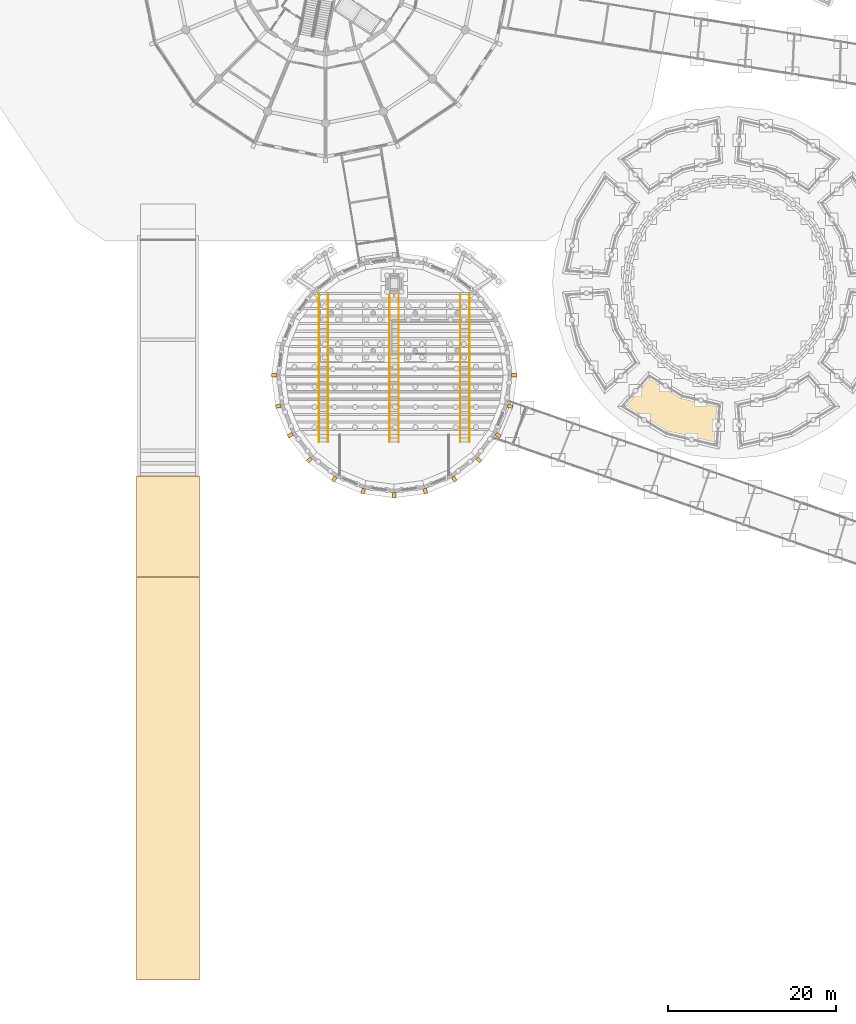
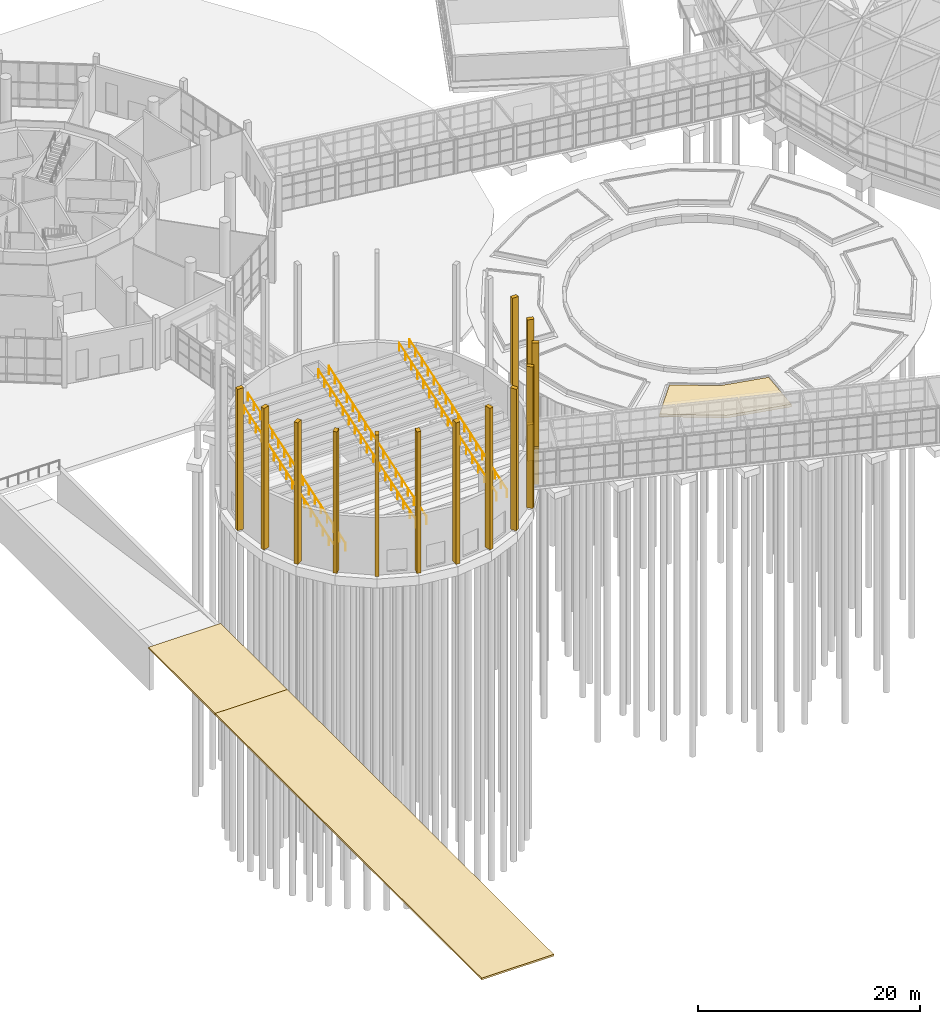
# One storey, part 211 of 226: 18 coverings, 6 railings.
"""IFC4 building model written with IfcOpenShell, lengths in metres."""

import ifcopenshell
import ifcopenshell.guid

model = None  # the IFC model being written
_history = None  # IfcOwnerHistory: only IFC2X3 demands one
_inside = {}  # id of a spatial element -> (the spatial element, [elements in it])
_under = {}  # id of a project, library or spatial element -> (it, [spatial elements below it])
_declared = {}  # id of a project -> (the project, [libraries it declares])
_typed = {}  # id of a type object -> (the type object, [elements of that type])
_made_of = {}  # id of a material, layer set ... -> (it, [elements and type objects made of it])


def new_model(schema):
    """Start an empty IFC model of exactly this schema.

    Asked for "IFC4X3", IfcOpenShell would pick the latest addendum, in which some entities
    have other attributes; the version numbers below select the first issue.
    IFC2X3 requires an IfcOwnerHistory on every rooted entity: one is made here for all.
    """
    global model, _history
    if schema == "IFC4X3":
        model = ifcopenshell.file(schema_version=(4, 3, 0, 0))
    else:
        model = ifcopenshell.file(schema=schema)
    _inside.clear()
    _under.clear()
    _declared.clear()
    _typed.clear()
    _made_of.clear()
    _history = None
    if model.schema == "IFC2X3":
        org = make("IfcOrganization", Name="unknown")
        user = make(
            "IfcPersonAndOrganization",
            ThePerson=make("IfcPerson", FamilyName="unknown"),
            TheOrganization=org,
        )
        app = make(
            "IfcApplication",
            ApplicationDeveloper=org,
            Version="unknown",
            ApplicationFullName="unknown",
            ApplicationIdentifier="unknown",
        )
        _history = make(
            "IfcOwnerHistory",
            OwningUser=user,
            OwningApplication=app,
            ChangeAction="ADDED",
            CreationDate=0,
        )
    return model


def make(cls, **values):
    """One entity of the class cls with the attributes given. An attribute that is None is left unset."""
    return model.create_entity(
        cls, **{name: value for name, value in values.items() if value is not None}
    )


def rooted(cls, **values):
    """An entity with a GlobalId (a new one), such as an element, a storey or a relation."""
    return make(cls, GlobalId=ifcopenshell.guid.new(), OwnerHistory=_history, **values)


def si_unit(unit_type, name, prefix=None):
    """IfcSIUnit, for example si_unit("LENGTHUNIT", "METRE", prefix="MILLI")."""
    return make("IfcSIUnit", UnitType=unit_type, Prefix=prefix, Name=name)


def assignment(units):
    """IfcUnitAssignment: the units of a project."""
    return None if units is None else make("IfcUnitAssignment", Units=units)


def point(xyz):
    """IfcCartesianPoint."""
    return None if xyz is None else make("IfcCartesianPoint", Coordinates=xyz)


def direction(xyz):
    """IfcDirection."""
    return None if xyz is None else make("IfcDirection", DirectionRatios=xyz)


def frame(location, z_axis=None, x_axis=None):
    """IfcAxis2Placement3D, a coordinate frame: its origin and axes. An axis left out is left unset."""
    return make(
        "IfcAxis2Placement3D",
        Location=point(location),
        Axis=direction(z_axis),
        RefDirection=direction(x_axis),
    )


def frame_2d(location, x_axis=None):
    """IfcAxis2Placement2D, a coordinate frame in the plane: its origin and x axis."""
    return make(
        "IfcAxis2Placement2D", Location=point(location), RefDirection=direction(x_axis)
    )


def origin():
    """The frame at (0, 0, 0) with its axes left unset."""
    return frame((0.0, 0.0, 0.0))


def origin_2d():
    """The frame at (0, 0) in the plane with its x axis left unset."""
    return frame_2d((0.0, 0.0))


def place(relative_to, where):
    """IfcLocalPlacement: puts the frame where relative to a parent placement (None: the world)."""
    return make(
        "IfcLocalPlacement", PlacementRelTo=relative_to, RelativePlacement=where
    )


def context(
    kind, dimensions, precision=None, world=None, true_north=None, identifier=None
):
    """IfcGeometricRepresentationContext, for example the 3D "Model" context."""
    return make(
        "IfcGeometricRepresentationContext",
        ContextIdentifier=identifier,
        ContextType=kind,
        CoordinateSpaceDimension=dimensions,
        Precision=precision,
        WorldCoordinateSystem=world,
        TrueNorth=true_north,
    )


def subcontext(parent, identifier, kind, view, scale=None):
    """IfcGeometricRepresentationSubContext, for example "Body" below "Model"."""
    return make(
        "IfcGeometricRepresentationSubContext",
        ContextIdentifier=identifier,
        ContextType=kind,
        ParentContext=parent,
        TargetScale=scale,
        TargetView=view,
    )


def project(units=None, contexts=None):
    """IfcProject with its units and contexts."""
    return rooted(
        "IfcProject",
        Name="project",
        RepresentationContexts=contexts,
        UnitsInContext=assignment(units),
    )


def spatial(cls, under=None, at=None, **own):
    """A site, building, storey or space (cls), placed at a placement, below another one or the project."""
    s = rooted(cls, ObjectPlacement=at, **own)
    if under is not None:
        _under.setdefault(under.id(), (under, []))[1].append(s)
    return s


def polyline(points):
    """IfcPolyline through the points."""
    return make("IfcPolyline", Points=[point(p) for p in points])


def profile(cls, at=None, kind="AREA", **sizes):
    """A parametric profile (cls). Its sizes go by their IFC names, for example OverallWidth=200.0."""
    return make(cls, ProfileType=kind, Position=at, **sizes)


def rectangle(**sizes):
    """IfcRectangleProfileDef."""
    return profile("IfcRectangleProfileDef", **sizes)


def circle(**sizes):
    """IfcCircleProfileDef."""
    return profile("IfcCircleProfileDef", **sizes)


def outline(outer, holes=None, kind="AREA"):
    """IfcArbitraryClosedProfileDef: a profile drawn as a closed curve; with holes, ...WithVoids."""
    if holes is None:
        return make("IfcArbitraryClosedProfileDef", ProfileType=kind, OuterCurve=outer)
    return make(
        "IfcArbitraryProfileDefWithVoids",
        ProfileType=kind,
        OuterCurve=outer,
        InnerCurves=holes,
    )


def extrude(swept, where, along, depth):
    """IfcExtrudedAreaSolid: the profile swept, set in the frame where, extruded along a direction by depth."""
    return make(
        "IfcExtrudedAreaSolid",
        SweptArea=swept,
        Position=where,
        ExtrudedDirection=direction(along),
        Depth=depth,
    )


def shape(context_of_items, identifier, shape_type, items):
    """IfcShapeRepresentation: the items that make up one representation, for example the "Body"."""
    return make(
        "IfcShapeRepresentation",
        ContextOfItems=context_of_items,
        RepresentationIdentifier=identifier,
        RepresentationType=shape_type,
        Items=items,
    )


def material(Name=None, Category=None):
    """IfcMaterial."""
    return make("IfcMaterial", Name=Name, Category=Category)


def layer(
    of_material, thickness, ventilated=None, Name=None, Category=None, Priority=None
):
    """IfcMaterialLayer: one layer of a wall or slab, of a material (None: an air gap)."""
    return make(
        "IfcMaterialLayer",
        Material=of_material,
        LayerThickness=thickness,
        IsVentilated=ventilated,
        Name=Name,
        Category=Category,
        Priority=Priority,
    )


def layer_set(layers, Name=None):
    """IfcMaterialLayerSet."""
    return make("IfcMaterialLayerSet", MaterialLayers=layers, LayerSetName=Name)


def made_of(thing, what):
    """Note that an element or type object is made of a material, layer set ...; save() writes the relation."""
    if what is not None:
        _made_of.setdefault(what.id(), (what, []))[1].append(thing)
    return thing


def type_object(cls, material=None, **own):
    """A type object (cls), such as IfcWallType, which elements share."""
    return made_of(rooted(cls, **own), material)


def element(
    cls,
    number,
    at=None,
    inside=None,
    cuts=None,
    type_object=None,
    material=None,
    context=None,
    identifier="Body",
    shape_type=None,
    held_by="IfcProductDefinitionShape",
    body=None,
    shapes=None,
    **own,
):
    """One element of the class cls, such as IfcWall. Its Tag is "e" and its number.

    at: its placement. inside: the storey or other place that contains it. cuts: it is an
    opening in that element (IfcRelVoidsElement). A single representation is given by context,
    identifier, shape_type and body (its items); several are given by shapes. held_by: the class
    of the entity that holds the representations. save() writes the other relations.
    """
    e = rooted(cls, Tag="e%d" % number, ObjectPlacement=at, **own)
    if body is not None:
        shapes = [shape(context, identifier, shape_type, body)]
    if shapes is not None:
        e.Representation = make(held_by, Representations=shapes)
    if inside is not None:
        _inside.setdefault(inside.id(), (inside, []))[1].append(e)
    if cuts is not None:
        rooted(
            "IfcRelVoidsElement", RelatingBuildingElement=cuts, RelatedOpeningElement=e
        )
    if type_object is not None:
        _typed.setdefault(type_object.id(), (type_object, []))[1].append(e)
    return made_of(e, material)


def aggregate(whole, parts):
    """IfcRelAggregates: a whole, such as a stair, and the parts it consists of."""
    return rooted("IfcRelAggregates", RelatingObject=whole, RelatedObjects=parts)


def save(model, path):
    """Write the relations noted so far, then the file.

    IfcRelAggregates (storeys below a building ...), IfcRelContainedInSpatialStructure (elements
    in a storey), IfcRelDefinesByType, IfcRelAssociatesMaterial and IfcRelDeclares: one each for
    every whole, place, type object, material and project.
    """
    for whole, parts in _under.values():
        aggregate(whole, parts)
    for where, things in _inside.values():
        rooted(
            "IfcRelContainedInSpatialStructure",
            RelatedElements=things,
            RelatingStructure=where,
        )
    for kind, things in _typed.values():
        rooted("IfcRelDefinesByType", RelatedObjects=things, RelatingType=kind)
    for what, things in _made_of.values():
        rooted("IfcRelAssociatesMaterial", RelatedObjects=things, RelatingMaterial=what)
    for by, libraries in _declared.values():
        rooted("IfcRelDeclares", RelatingContext=by, RelatedDefinitions=libraries)
    model.write(path)


model = new_model("IFC4")

# Units and contexts
model_context = context("Model", 3, precision=1e-05, world=origin(), true_north=direction((0.0, 1.0)))
body_context = subcontext(model_context, "Body", "Model", "MODEL_VIEW")
ifc_project = project(units=[si_unit("LENGTHUNIT", "METRE"), si_unit("AREAUNIT", "SQUARE_METRE"), si_unit("VOLUMEUNIT", "CUBIC_METRE"), si_unit("PLANEANGLEUNIT", "RADIAN"), si_unit("MASSUNIT", "GRAM", prefix="KILO")], contexts=[model_context])

# Site, building, storey
site_placement = place(None, origin())
site = spatial("IfcSite", under=ifc_project, at=site_placement, CompositionType="ELEMENT")
building_placement = place(site_placement, origin())
building = spatial("IfcBuilding", under=site, at=building_placement, Name="Ceibo Conservatory and Research Tower", CompositionType="ELEMENT")
storey_placement = place(building_placement, origin())
storey = spatial("IfcBuildingStorey", under=building, at=storey_placement, Name="L00", CompositionType="ELEMENT", Elevation=0.0)

# Railings
ifc_material_1 = material(Name="Stainless steel AISI 316", Category="steel")
railing_type = type_object("IfcRailingType", Name="Conservatory handrail 900", PredefinedType="HANDRAIL", material=ifc_material_1)
railing_1_placement = place(storey_placement, frame((55.64013671875, 64.053466796875, 0.15087890625)))
element("IfcRailing", 1, at=railing_1_placement, inside=storey, type_object=railing_type, Name="Handrail aisle stair 1", PredefinedType="HANDRAIL", context=body_context, shape_type="SweptSolid", body=[
    extrude(circle(Radius=0.02392578125, at=origin_2d()), frame((0.0, 0.0, 0.8759765625), z_axis=(0.0, 0.948685937472, 0.316219847642), x_axis=(-1.0, 0.0, 0.0)), (0.0, 0.0, 1.0), 18.499267578125),
    extrude(circle(Radius=0.02099609375, at=origin_2d()), origin(), (0.0, 0.0, 1.0), 0.851806640625),
    extrude(circle(Radius=0.02099609375, at=origin_2d()), frame((0.0, 1.096923828125, 0.36572265625)), (0.0, 0.0, 1.0), 0.851806640625),
    extrude(circle(Radius=0.02099609375, at=origin_2d()), frame((0.0, 2.19384765625, 0.731201171875)), (0.0, 0.0, 1.0), 0.851806640625),
    extrude(circle(Radius=0.02099609375, at=origin_2d()), frame((0.0, 3.29052734375, 1.096923828125)), (0.0, 0.0, 1.0), 0.851806640625),
    extrude(circle(Radius=0.02099609375, at=origin_2d()), frame((0.0, 4.387451171875, 1.46240234375)), (0.0, 0.0, 1.0), 0.851806640625),
    extrude(circle(Radius=0.02099609375, at=origin_2d()), frame((0.0, 5.484375, 1.828125)), (0.0, 0.0, 1.0), 0.851806640625),
    extrude(circle(Radius=0.02099609375, at=origin_2d()), frame((0.0, 6.581298828125, 2.193603515625)), (0.0, 0.0, 1.0), 0.851806640625),
    extrude(circle(Radius=0.02099609375, at=origin_2d()), frame((0.0, 7.67822265625, 2.559326171875)), (0.0, 0.0, 1.0), 0.851806640625),
    extrude(circle(Radius=0.02099609375, at=origin_2d()), frame((0.0, 8.77490234375, 2.9248046875)), (0.0, 0.0, 1.0), 0.851806640625),
    extrude(circle(Radius=0.02099609375, at=origin_2d()), frame((0.0, 9.871826171875, 3.29052734375)), (0.0, 0.0, 1.0), 0.851806640625),
    extrude(circle(Radius=0.02099609375, at=origin_2d()), frame((0.0, 10.96875, 3.65625)), (0.0, 0.0, 1.0), 0.851806640625),
    extrude(circle(Radius=0.02099609375, at=origin_2d()), frame((0.0, 12.065673828125, 4.021728515625)), (0.0, 0.0, 1.0), 0.851806640625),
    extrude(circle(Radius=0.02099609375, at=origin_2d()), frame((0.0, 13.16259765625, 4.387451171875)), (0.0, 0.0, 1.0), 0.851806640625),
    extrude(circle(Radius=0.02099609375, at=origin_2d()), frame((0.0, 14.259521484375, 4.7529296875)), (0.0, 0.0, 1.0), 0.851806640625),
    extrude(circle(Radius=0.02099609375, at=origin_2d()), frame((0.0, 15.356201171875, 5.11865234375)), (0.0, 0.0, 1.0), 0.851806640625),
    extrude(circle(Radius=0.02099609375, at=origin_2d()), frame((0.0, 16.453125, 5.484130859375)), (0.0, 0.0, 1.0), 0.851806640625),
    extrude(circle(Radius=0.02099609375, at=origin_2d()), frame((0.0, 17.550048828125, 5.849853515625)), (0.0, 0.0, 1.0), 0.851806640625),
])
railing_2_placement = place(storey_placement, frame((56.719970703125, 64.053466796875, 0.15087890625)))
element("IfcRailing", 2, at=railing_2_placement, inside=storey, type_object=railing_type, Name="Handrail aisle stair 1", PredefinedType="HANDRAIL", context=body_context, shape_type="SweptSolid", body=[
    extrude(circle(Radius=0.02392578125, at=origin_2d()), frame((0.0, 0.0, 0.8759765625), z_axis=(0.0, 0.948685937472, 0.316219847642), x_axis=(-1.0, 0.0, 0.0)), (0.0, 0.0, 1.0), 18.499267578125),
    extrude(circle(Radius=0.02099609375, at=origin_2d()), origin(), (0.0, 0.0, 1.0), 0.851806640625),
    extrude(circle(Radius=0.02099609375, at=origin_2d()), frame((0.0, 1.096923828125, 0.36572265625)), (0.0, 0.0, 1.0), 0.851806640625),
    extrude(circle(Radius=0.02099609375, at=origin_2d()), frame((0.0, 2.19384765625, 0.731201171875)), (0.0, 0.0, 1.0), 0.851806640625),
    extrude(circle(Radius=0.02099609375, at=origin_2d()), frame((0.0, 3.29052734375, 1.096923828125)), (0.0, 0.0, 1.0), 0.851806640625),
    extrude(circle(Radius=0.02099609375, at=origin_2d()), frame((0.0, 4.387451171875, 1.46240234375)), (0.0, 0.0, 1.0), 0.851806640625),
    extrude(circle(Radius=0.02099609375, at=origin_2d()), frame((0.0, 5.484375, 1.828125)), (0.0, 0.0, 1.0), 0.851806640625),
    extrude(circle(Radius=0.02099609375, at=origin_2d()), frame((0.0, 6.581298828125, 2.193603515625)), (0.0, 0.0, 1.0), 0.851806640625),
    extrude(circle(Radius=0.02099609375, at=origin_2d()), frame((0.0, 7.67822265625, 2.559326171875)), (0.0, 0.0, 1.0), 0.851806640625),
    extrude(circle(Radius=0.02099609375, at=origin_2d()), frame((0.0, 8.77490234375, 2.9248046875)), (0.0, 0.0, 1.0), 0.851806640625),
    extrude(circle(Radius=0.02099609375, at=origin_2d()), frame((0.0, 9.871826171875, 3.29052734375)), (0.0, 0.0, 1.0), 0.851806640625),
    extrude(circle(Radius=0.02099609375, at=origin_2d()), frame((0.0, 10.96875, 3.65625)), (0.0, 0.0, 1.0), 0.851806640625),
    extrude(circle(Radius=0.02099609375, at=origin_2d()), frame((0.0, 12.065673828125, 4.021728515625)), (0.0, 0.0, 1.0), 0.851806640625),
    extrude(circle(Radius=0.02099609375, at=origin_2d()), frame((0.0, 13.16259765625, 4.387451171875)), (0.0, 0.0, 1.0), 0.851806640625),
    extrude(circle(Radius=0.02099609375, at=origin_2d()), frame((0.0, 14.259521484375, 4.7529296875)), (0.0, 0.0, 1.0), 0.851806640625),
    extrude(circle(Radius=0.02099609375, at=origin_2d()), frame((0.0, 15.356201171875, 5.11865234375)), (0.0, 0.0, 1.0), 0.851806640625),
    extrude(circle(Radius=0.02099609375, at=origin_2d()), frame((0.0, 16.453125, 5.484130859375)), (0.0, 0.0, 1.0), 0.851806640625),
    extrude(circle(Radius=0.02099609375, at=origin_2d()), frame((0.0, 17.550048828125, 5.849853515625)), (0.0, 0.0, 1.0), 0.851806640625),
])
railing_3_placement = place(storey_placement, frame((47.239990234375, 64.053466796875, 0.15087890625)))
element("IfcRailing", 3, at=railing_3_placement, inside=storey, type_object=railing_type, Name="Handrail aisle stair 2", PredefinedType="HANDRAIL", context=body_context, shape_type="SweptSolid", body=[
    extrude(circle(Radius=0.02392578125, at=origin_2d()), frame((0.0, 0.0, 0.8759765625), z_axis=(0.0, 0.948685937472, 0.316219847642), x_axis=(-1.0, 0.0, 0.0)), (0.0, 0.0, 1.0), 18.499267578125),
    extrude(circle(Radius=0.02099609375, at=origin_2d()), origin(), (0.0, 0.0, 1.0), 0.851806640625),
    extrude(circle(Radius=0.02099609375, at=origin_2d()), frame((0.0, 1.096923828125, 0.36572265625)), (0.0, 0.0, 1.0), 0.851806640625),
    extrude(circle(Radius=0.02099609375, at=origin_2d()), frame((0.0, 2.19384765625, 0.731201171875)), (0.0, 0.0, 1.0), 0.851806640625),
    extrude(circle(Radius=0.02099609375, at=origin_2d()), frame((0.0, 3.29052734375, 1.096923828125)), (0.0, 0.0, 1.0), 0.851806640625),
    extrude(circle(Radius=0.02099609375, at=origin_2d()), frame((0.0, 4.387451171875, 1.46240234375)), (0.0, 0.0, 1.0), 0.851806640625),
    extrude(circle(Radius=0.02099609375, at=origin_2d()), frame((0.0, 5.484375, 1.828125)), (0.0, 0.0, 1.0), 0.851806640625),
    extrude(circle(Radius=0.02099609375, at=origin_2d()), frame((0.0, 6.581298828125, 2.193603515625)), (0.0, 0.0, 1.0), 0.851806640625),
    extrude(circle(Radius=0.02099609375, at=origin_2d()), frame((0.0, 7.67822265625, 2.559326171875)), (0.0, 0.0, 1.0), 0.851806640625),
    extrude(circle(Radius=0.02099609375, at=origin_2d()), frame((0.0, 8.77490234375, 2.9248046875)), (0.0, 0.0, 1.0), 0.851806640625),
    extrude(circle(Radius=0.02099609375, at=origin_2d()), frame((0.0, 9.871826171875, 3.29052734375)), (0.0, 0.0, 1.0), 0.851806640625),
    extrude(circle(Radius=0.02099609375, at=origin_2d()), frame((0.0, 10.96875, 3.65625)), (0.0, 0.0, 1.0), 0.851806640625),
    extrude(circle(Radius=0.02099609375, at=origin_2d()), frame((0.0, 12.065673828125, 4.021728515625)), (0.0, 0.0, 1.0), 0.851806640625),
    extrude(circle(Radius=0.02099609375, at=origin_2d()), frame((0.0, 13.16259765625, 4.387451171875)), (0.0, 0.0, 1.0), 0.851806640625),
    extrude(circle(Radius=0.02099609375, at=origin_2d()), frame((0.0, 14.259521484375, 4.7529296875)), (0.0, 0.0, 1.0), 0.851806640625),
    extrude(circle(Radius=0.02099609375, at=origin_2d()), frame((0.0, 15.356201171875, 5.11865234375)), (0.0, 0.0, 1.0), 0.851806640625),
    extrude(circle(Radius=0.02099609375, at=origin_2d()), frame((0.0, 16.453125, 5.484130859375)), (0.0, 0.0, 1.0), 0.851806640625),
    extrude(circle(Radius=0.02099609375, at=origin_2d()), frame((0.0, 17.550048828125, 5.849853515625)), (0.0, 0.0, 1.0), 0.851806640625),
])
railing_4_placement = place(storey_placement, frame((48.320068359375, 64.053466796875, 0.15087890625)))
element("IfcRailing", 4, at=railing_4_placement, inside=storey, type_object=railing_type, Name="Handrail aisle stair 2", PredefinedType="HANDRAIL", context=body_context, shape_type="SweptSolid", body=[
    extrude(circle(Radius=0.02392578125, at=origin_2d()), frame((0.0, 0.0, 0.8759765625), z_axis=(0.0, 0.948685937472, 0.316219847642), x_axis=(-1.0, 0.0, 0.0)), (0.0, 0.0, 1.0), 18.499267578125),
    extrude(circle(Radius=0.02099609375, at=origin_2d()), origin(), (0.0, 0.0, 1.0), 0.851806640625),
    extrude(circle(Radius=0.02099609375, at=origin_2d()), frame((0.0, 1.096923828125, 0.36572265625)), (0.0, 0.0, 1.0), 0.851806640625),
    extrude(circle(Radius=0.02099609375, at=origin_2d()), frame((0.0, 2.19384765625, 0.731201171875)), (0.0, 0.0, 1.0), 0.851806640625),
    extrude(circle(Radius=0.02099609375, at=origin_2d()), frame((0.0, 3.29052734375, 1.096923828125)), (0.0, 0.0, 1.0), 0.851806640625),
    extrude(circle(Radius=0.02099609375, at=origin_2d()), frame((0.0, 4.387451171875, 1.46240234375)), (0.0, 0.0, 1.0), 0.851806640625),
    extrude(circle(Radius=0.02099609375, at=origin_2d()), frame((0.0, 5.484375, 1.828125)), (0.0, 0.0, 1.0), 0.851806640625),
    extrude(circle(Radius=0.02099609375, at=origin_2d()), frame((0.0, 6.581298828125, 2.193603515625)), (0.0, 0.0, 1.0), 0.851806640625),
    extrude(circle(Radius=0.02099609375, at=origin_2d()), frame((0.0, 7.67822265625, 2.559326171875)), (0.0, 0.0, 1.0), 0.851806640625),
    extrude(circle(Radius=0.02099609375, at=origin_2d()), frame((0.0, 8.77490234375, 2.9248046875)), (0.0, 0.0, 1.0), 0.851806640625),
    extrude(circle(Radius=0.02099609375, at=origin_2d()), frame((0.0, 9.871826171875, 3.29052734375)), (0.0, 0.0, 1.0), 0.851806640625),
    extrude(circle(Radius=0.02099609375, at=origin_2d()), frame((0.0, 10.96875, 3.65625)), (0.0, 0.0, 1.0), 0.851806640625),
    extrude(circle(Radius=0.02099609375, at=origin_2d()), frame((0.0, 12.065673828125, 4.021728515625)), (0.0, 0.0, 1.0), 0.851806640625),
    extrude(circle(Radius=0.02099609375, at=origin_2d()), frame((0.0, 13.16259765625, 4.387451171875)), (0.0, 0.0, 1.0), 0.851806640625),
    extrude(circle(Radius=0.02099609375, at=origin_2d()), frame((0.0, 14.259521484375, 4.7529296875)), (0.0, 0.0, 1.0), 0.851806640625),
    extrude(circle(Radius=0.02099609375, at=origin_2d()), frame((0.0, 15.356201171875, 5.11865234375)), (0.0, 0.0, 1.0), 0.851806640625),
    extrude(circle(Radius=0.02099609375, at=origin_2d()), frame((0.0, 16.453125, 5.484130859375)), (0.0, 0.0, 1.0), 0.851806640625),
    extrude(circle(Radius=0.02099609375, at=origin_2d()), frame((0.0, 17.550048828125, 5.849853515625)), (0.0, 0.0, 1.0), 0.851806640625),
])
railing_5_placement = place(storey_placement, frame((64.0400390625, 64.053466796875, 0.15087890625)))
element("IfcRailing", 5, at=railing_5_placement, inside=storey, type_object=railing_type, Name="Handrail aisle stair 3", PredefinedType="HANDRAIL", context=body_context, shape_type="SweptSolid", body=[
    extrude(circle(Radius=0.02392578125, at=origin_2d()), frame((0.0, 0.0, 0.8759765625), z_axis=(0.0, 0.948685937472, 0.316219847642), x_axis=(-1.0, 0.0, 0.0)), (0.0, 0.0, 1.0), 18.499267578125),
    extrude(circle(Radius=0.02099609375, at=origin_2d()), origin(), (0.0, 0.0, 1.0), 0.851806640625),
    extrude(circle(Radius=0.02099609375, at=origin_2d()), frame((0.0, 1.096923828125, 0.36572265625)), (0.0, 0.0, 1.0), 0.851806640625),
    extrude(circle(Radius=0.02099609375, at=origin_2d()), frame((0.0, 2.19384765625, 0.731201171875)), (0.0, 0.0, 1.0), 0.851806640625),
    extrude(circle(Radius=0.02099609375, at=origin_2d()), frame((0.0, 3.29052734375, 1.096923828125)), (0.0, 0.0, 1.0), 0.851806640625),
    extrude(circle(Radius=0.02099609375, at=origin_2d()), frame((0.0, 4.387451171875, 1.46240234375)), (0.0, 0.0, 1.0), 0.851806640625),
    extrude(circle(Radius=0.02099609375, at=origin_2d()), frame((0.0, 5.484375, 1.828125)), (0.0, 0.0, 1.0), 0.851806640625),
    extrude(circle(Radius=0.02099609375, at=origin_2d()), frame((0.0, 6.581298828125, 2.193603515625)), (0.0, 0.0, 1.0), 0.851806640625),
    extrude(circle(Radius=0.02099609375, at=origin_2d()), frame((0.0, 7.67822265625, 2.559326171875)), (0.0, 0.0, 1.0), 0.851806640625),
    extrude(circle(Radius=0.02099609375, at=origin_2d()), frame((0.0, 8.77490234375, 2.9248046875)), (0.0, 0.0, 1.0), 0.851806640625),
    extrude(circle(Radius=0.02099609375, at=origin_2d()), frame((0.0, 9.871826171875, 3.29052734375)), (0.0, 0.0, 1.0), 0.851806640625),
    extrude(circle(Radius=0.02099609375, at=origin_2d()), frame((0.0, 10.96875, 3.65625)), (0.0, 0.0, 1.0), 0.851806640625),
    extrude(circle(Radius=0.02099609375, at=origin_2d()), frame((0.0, 12.065673828125, 4.021728515625)), (0.0, 0.0, 1.0), 0.851806640625),
    extrude(circle(Radius=0.02099609375, at=origin_2d()), frame((0.0, 13.16259765625, 4.387451171875)), (0.0, 0.0, 1.0), 0.851806640625),
    extrude(circle(Radius=0.02099609375, at=origin_2d()), frame((0.0, 14.259521484375, 4.7529296875)), (0.0, 0.0, 1.0), 0.851806640625),
    extrude(circle(Radius=0.02099609375, at=origin_2d()), frame((0.0, 15.356201171875, 5.11865234375)), (0.0, 0.0, 1.0), 0.851806640625),
    extrude(circle(Radius=0.02099609375, at=origin_2d()), frame((0.0, 16.453125, 5.484130859375)), (0.0, 0.0, 1.0), 0.851806640625),
    extrude(circle(Radius=0.02099609375, at=origin_2d()), frame((0.0, 17.550048828125, 5.849853515625)), (0.0, 0.0, 1.0), 0.851806640625),
])
railing_6_placement = place(storey_placement, frame((65.1201171875, 64.053466796875, 0.15087890625)))
element("IfcRailing", 6, at=railing_6_placement, inside=storey, type_object=railing_type, Name="Handrail aisle stair 3", PredefinedType="HANDRAIL", context=body_context, shape_type="SweptSolid", body=[
    extrude(circle(Radius=0.02392578125, at=origin_2d()), frame((0.0, 0.0, 0.8759765625), z_axis=(0.0, 0.948685937472, 0.316219847642), x_axis=(-1.0, 0.0, 0.0)), (0.0, 0.0, 1.0), 18.499267578125),
    extrude(circle(Radius=0.02099609375, at=origin_2d()), origin(), (0.0, 0.0, 1.0), 0.851806640625),
    extrude(circle(Radius=0.02099609375, at=origin_2d()), frame((0.0, 1.096923828125, 0.36572265625)), (0.0, 0.0, 1.0), 0.851806640625),
    extrude(circle(Radius=0.02099609375, at=origin_2d()), frame((0.0, 2.19384765625, 0.731201171875)), (0.0, 0.0, 1.0), 0.851806640625),
    extrude(circle(Radius=0.02099609375, at=origin_2d()), frame((0.0, 3.29052734375, 1.096923828125)), (0.0, 0.0, 1.0), 0.851806640625),
    extrude(circle(Radius=0.02099609375, at=origin_2d()), frame((0.0, 4.387451171875, 1.46240234375)), (0.0, 0.0, 1.0), 0.851806640625),
    extrude(circle(Radius=0.02099609375, at=origin_2d()), frame((0.0, 5.484375, 1.828125)), (0.0, 0.0, 1.0), 0.851806640625),
    extrude(circle(Radius=0.02099609375, at=origin_2d()), frame((0.0, 6.581298828125, 2.193603515625)), (0.0, 0.0, 1.0), 0.851806640625),
    extrude(circle(Radius=0.02099609375, at=origin_2d()), frame((0.0, 7.67822265625, 2.559326171875)), (0.0, 0.0, 1.0), 0.851806640625),
    extrude(circle(Radius=0.02099609375, at=origin_2d()), frame((0.0, 8.77490234375, 2.9248046875)), (0.0, 0.0, 1.0), 0.851806640625),
    extrude(circle(Radius=0.02099609375, at=origin_2d()), frame((0.0, 9.871826171875, 3.29052734375)), (0.0, 0.0, 1.0), 0.851806640625),
    extrude(circle(Radius=0.02099609375, at=origin_2d()), frame((0.0, 10.96875, 3.65625)), (0.0, 0.0, 1.0), 0.851806640625),
    extrude(circle(Radius=0.02099609375, at=origin_2d()), frame((0.0, 12.065673828125, 4.021728515625)), (0.0, 0.0, 1.0), 0.851806640625),
    extrude(circle(Radius=0.02099609375, at=origin_2d()), frame((0.0, 13.16259765625, 4.387451171875)), (0.0, 0.0, 1.0), 0.851806640625),
    extrude(circle(Radius=0.02099609375, at=origin_2d()), frame((0.0, 14.259521484375, 4.7529296875)), (0.0, 0.0, 1.0), 0.851806640625),
    extrude(circle(Radius=0.02099609375, at=origin_2d()), frame((0.0, 15.356201171875, 5.11865234375)), (0.0, 0.0, 1.0), 0.851806640625),
    extrude(circle(Radius=0.02099609375, at=origin_2d()), frame((0.0, 16.453125, 5.484130859375)), (0.0, 0.0, 1.0), 0.851806640625),
    extrude(circle(Radius=0.02099609375, at=origin_2d()), frame((0.0, 17.550048828125, 5.849853515625)), (0.0, 0.0, 1.0), 0.851806640625),
])

# Coverings
ifc_material_2 = material(Name="Planting soil")
ifc_layer_1 = layer(ifc_material_2, 0.300048828125)
ifc_layer_set_1 = layer_set([ifc_layer_1], Name="Planting soil")
covering_type_1 = type_object("IfcCoveringType", Name="Planting bed soil 300", PredefinedType="FLOORING", material=ifc_layer_set_1)
covering_1_placement = place(storey_placement, origin())
element("IfcCovering", 7, at=covering_1_placement, inside=storey, type_object=covering_type_1, Name="Ceibo Court planting bed PB6", PredefinedType="FLOORING", context=body_context, shape_type="SweptSolid", body=[
    extrude(outline(polyline([(86.5166015625, 71.862060546875), (83.435791015625, 68.31787109375), (88.595947265625, 65.124755859375), (94.50244140625, 63.73388671875), (94.830078125, 68.41845703125), (90.392822265625, 69.46337890625), (86.5166015625, 71.862060546875)])), origin(), (0.0, 0.0, 1.0), 0.300048828125),
])
ifc_material_3 = material(Name="Concrete C35/45", Category="concrete")
covering_type_2 = type_object("IfcCoveringType", Name="Precast concrete rib 400x600", PredefinedType="CLADDING", material=ifc_material_3)
for number, where, z_axis, x_axis, name in (
    (8, (41.89013671875, 72.0, 0.0), (0.0, 0.0, 1.0), (-1.0, 0.0, 0.0), "Concrete rib 12"),
    (9, (42.376953125, 68.301513671875, 0.0), (0.0, 0.0, 1.0), (-0.965925826289, -0.258819045103, 0.0), "Concrete rib 13"),
    (10, (43.8046875, 64.85498046875, 0.0), (0.0, 0.0, 1.0), (-0.866025403784, -0.5, 0.0), "Concrete rib 14"),
    (11, (46.075439453125, 61.8955078125, 0.0), (0.0, 0.0, 1.0), (-0.707106781187, -0.707106781187, 0.0), "Concrete rib 15"),
    (12, (49.03515625, 59.62451171875, 0.0), (0.0, 0.0, 1.0), (-0.5, -0.866025403784, 0.0), "Concrete rib 16"),
    (13, (52.4814453125, 58.197021484375, 0.0), (0.0, 0.0, 1.0), (-0.258819045103, -0.965925826289, 0.0), "Concrete rib 17"),
    (14, (56.18017578125, 57.7099609375, 0.0), (0.0, 0.0, 1.0), (0.0, -1.0, 0.0), "Concrete rib 18"),
    (15, (59.878662109375, 58.197021484375, 0.0), (0.0, 0.0, 1.0), (0.258819045103, -0.965925826289, 0.0), "Concrete rib 19"),
    (16, (63.3251953125, 59.62451171875, 0.0), (0.0, 0.0, 1.0), (0.5, -0.866025403784, 0.0), "Concrete rib 20"),
    (17, (66.28466796875, 61.8955078125, 0.0), (0.0, 0.0, 1.0), (0.707106781187, -0.707106781187, 0.0), "Concrete rib 21"),
):
    element("IfcCovering", number, at=place(storey_placement, frame(where, z_axis=z_axis, x_axis=x_axis)), inside=storey, type_object=covering_type_2, Name=name, PredefinedType="CLADDING", context=body_context, shape_type="SweptSolid", body=[
        extrude(rectangle(XDim=0.6201171875, YDim=0.39990234375, at=origin_2d()), origin(), (0.0, 0.0, 1.0), 15.550048828125),
    ])
covering_2_placement = place(storey_placement, frame((68.5556640625, 64.85498046875, 0.0), z_axis=(0.0, 0.0, 1.0), x_axis=(0.866025403784, -0.5, 0.0)))
element("IfcCovering", 18, at=covering_2_placement, inside=storey, type_object=covering_type_2, Name="Concrete rib 22 A", PredefinedType="CLADDING", context=body_context, shape_type="SweptSolid", body=[
    extrude(rectangle(XDim=0.6201171875, YDim=0.39990234375, at=origin_2d()), origin(), (0.0, 0.0, 1.0), 4.0),
])
covering_3_placement = place(storey_placement, frame((68.5556640625, 64.85498046875, 4.199951171875), z_axis=(0.0, 0.0, 1.0), x_axis=(0.866025403784, -0.5, 0.0)))
element("IfcCovering", 19, at=covering_3_placement, inside=storey, type_object=covering_type_2, Name="Concrete rib 22 B", PredefinedType="CLADDING", context=body_context, shape_type="SweptSolid", body=[
    extrude(rectangle(XDim=0.6201171875, YDim=0.39990234375, at=origin_2d()), origin(), (0.0, 0.0, 1.0), 11.35009765625),
])
covering_4_placement = place(storey_placement, frame((69.983154296875, 68.301513671875, 0.0), z_axis=(0.0, 0.0, 1.0), x_axis=(0.965925826289, -0.258819045103, 0.0)))
element("IfcCovering", 20, at=covering_4_placement, inside=storey, type_object=covering_type_2, Name="Concrete rib 23 A", PredefinedType="CLADDING", context=body_context, shape_type="SweptSolid", body=[
    extrude(rectangle(XDim=0.6201171875, YDim=0.39990234375, at=origin_2d()), origin(), (0.0, 0.0, 1.0), 4.0),
])
covering_5_placement = place(storey_placement, frame((69.983154296875, 68.301513671875, 4.199951171875), z_axis=(0.0, 0.0, 1.0), x_axis=(0.965925826289, -0.258819045103, 0.0)))
element("IfcCovering", 21, at=covering_5_placement, inside=storey, type_object=covering_type_2, Name="Concrete rib 23 B", PredefinedType="CLADDING", context=body_context, shape_type="SweptSolid", body=[
    extrude(rectangle(XDim=0.6201171875, YDim=0.39990234375, at=origin_2d()), origin(), (0.0, 0.0, 1.0), 11.35009765625),
])
covering_6_placement = place(storey_placement, frame((70.469970703125, 72.0, 0.0), z_axis=(0.0, 0.0, 1.0), x_axis=(1.0, 0.0, 0.0)))
element("IfcCovering", 22, at=covering_6_placement, inside=storey, type_object=covering_type_2, Name="Concrete rib 24", PredefinedType="CLADDING", context=body_context, shape_type="SweptSolid", body=[
    extrude(rectangle(XDim=0.6201171875, YDim=0.39990234375, at=origin_2d()), origin(), (0.0, 0.0, 1.0), 15.550048828125),
])
ifc_layer_2 = layer(ifc_material_3, 0.199951171875)
ifc_layer_set_2 = layer_set([ifc_layer_2], Name="Concrete C35/45")
covering_type_3 = type_object("IfcCoveringType", Name="Vehicle apron paving 200", PredefinedType="USERDEFINED", material=ifc_layer_set_2)
covering_7_placement = place(storey_placement, frame((0.0, 0.0, -0.199951171875)))
element("IfcCovering", 23, at=covering_7_placement, inside=storey, type_object=covering_type_3, Name="Vehicle apron", ObjectType="PAVING", PredefinedType="USERDEFINED", context=body_context, shape_type="SweptSolid", body=[
    extrude(outline(polyline([(25.5, 48.0), (33.0, 48.0), (33.0, 60.0), (25.5, 60.0), (25.5, 48.0)])), origin(), (0.0, 0.0, 1.0), 0.199951171875),
])
covering_8_placement = place(storey_placement, frame((0.0, 0.0, -0.199951171875)))
element("IfcCovering", 24, at=covering_8_placement, inside=storey, type_object=covering_type_3, Name="Vehicle driveway", ObjectType="PAVING", PredefinedType="USERDEFINED", context=body_context, shape_type="SweptSolid", body=[
    extrude(outline(polyline([(25.5, 0.0), (33.0, 0.0), (33.0, 48.0), (25.5, 48.0), (25.5, 0.0)])), origin(), (0.0, 0.0, 1.0), 0.199951171875),
])

save(model, "model.ifc")
